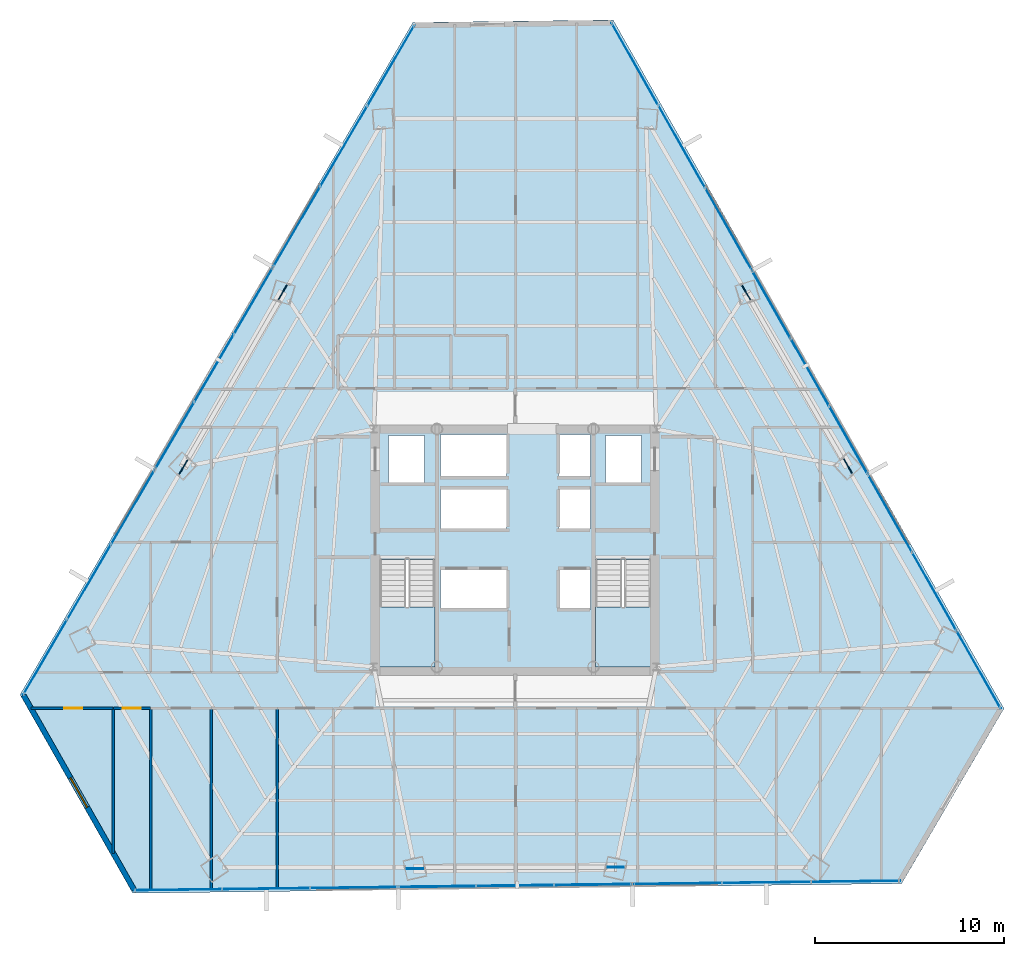
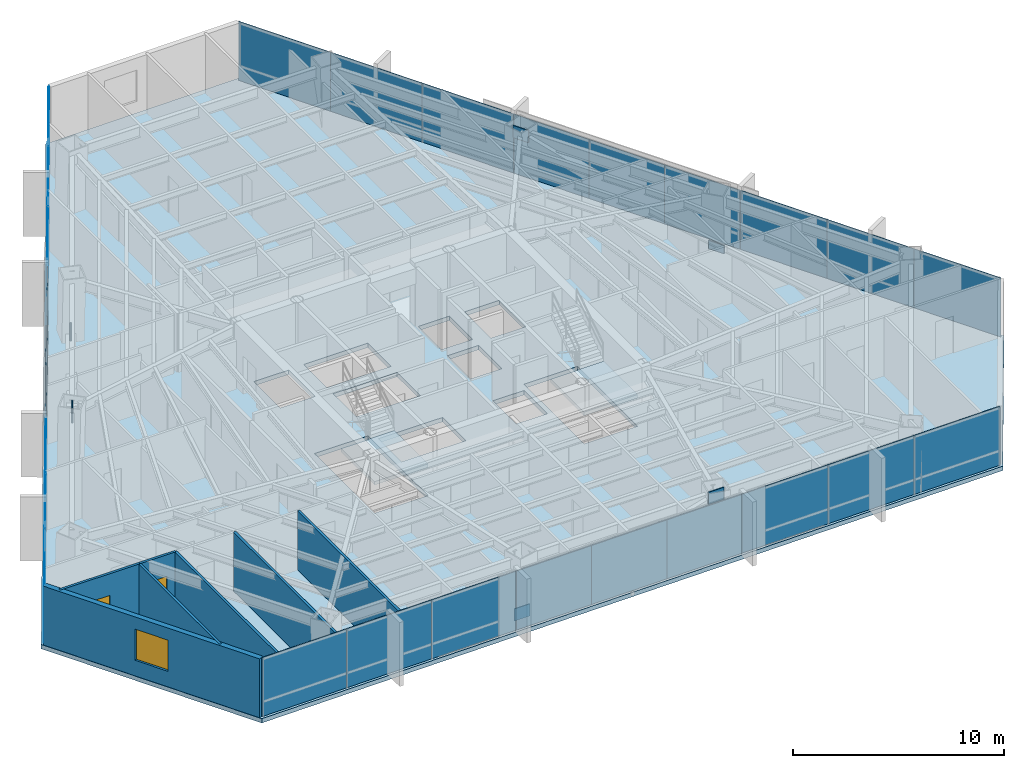
# One storey, part 28 of 35: 33 plates, 7 walls, 3 slabs, 2 doors, 1 window, 3 openings, 11 elements without a shape of their own.
"""IFC4 building model written with IfcOpenShell, lengths in metres."""

from ifc_helpers import new_model, si_unit, direction, frame, frame_2d, origin, origin_2d, place, context, subcontext, project, spatial, polyline, rectangle, outline, extrude, source, transform, mapped, material, layer, layer_set, type_object, type_shapes, element, fill, aggregate, save


model = new_model("IFC4")

# Units and contexts
model_context = context("Model", 3, precision=1e-05, world=origin(), true_north=direction((0.0, 1.0)))
body_context = subcontext(model_context, "Body", "Model", "MODEL_VIEW")
ifc_project = project(units=[si_unit("LENGTHUNIT", "METRE"), si_unit("AREAUNIT", "SQUARE_METRE"), si_unit("VOLUMEUNIT", "CUBIC_METRE"), si_unit("PLANEANGLEUNIT", "RADIAN"), si_unit("MASSUNIT", "GRAM", prefix="KILO")], contexts=[model_context])

# Site, building, storey
site_placement = place(None, origin())
site = spatial("IfcSite", under=ifc_project, at=site_placement, CompositionType="ELEMENT")
building_placement = place(site_placement, origin())
building = spatial("IfcBuilding", under=site, at=building_placement, Name="Caelisora Broadcast Tower", CompositionType="ELEMENT")
storey_placement = place(building_placement, frame((0.0, 0.0, 123.64990234375)))
storey = spatial("IfcBuildingStorey", under=building, at=storey_placement, Name="L32", CompositionType="ELEMENT", Elevation=123.64990234375)

# Slab
ifc_material_1 = material(Name="Concrete 40 MPa (AS 3600 N40)", Category="concrete")
ifc_layer_1 = layer(ifc_material_1, 0.25, Name="Concrete 40 MPa (AS 3600 N40)")
ifc_layer_set_1 = layer_set([ifc_layer_1], Name="Concrete 40 MPa (AS 3600 N40)")
slab_type_1 = type_object("IfcSlabType", Name="SL04", PredefinedType="FLOOR", material=ifc_layer_set_1)
slab_1_placement = place(storey_placement, frame((0.0, 0.0, -0.25)))
element("IfcSlab", 1, at=slab_1_placement, inside=storey, type_object=slab_type_1, Name="L32 suspended floor SL04", PredefinedType="FLOOR", context=body_context, shape_type="SweptSolid", body=[
    extrude(outline(polyline([(43.195068359375, 51.681884765625), (32.575927734375, 51.549072265625), (11.757080078125, 15.9208984375), (17.72998046875, 5.40087890625), (58.487060546875, 5.908935546875), (63.909912109375, 15.19189453125), (43.195068359375, 51.681884765625)]), holes=[polyline([(30.820068359375, 17.39990234375), (33.739990234375, 17.39990234375), (33.739990234375, 23.080078125), (30.820068359375, 23.080078125), (30.820068359375, 17.39990234375)]), polyline([(42.260009765625, 17.39990234375), (45.179931640625, 17.39990234375), (45.179931640625, 23.080078125), (42.260009765625, 23.080078125), (42.260009765625, 17.39990234375)]), polyline([(42.800048828125, 27.14990234375), (44.699951171875, 27.14990234375), (44.699951171875, 29.64990234375), (42.800048828125, 29.64990234375), (42.800048828125, 27.14990234375)]), polyline([(40.300048828125, 20.429931640625), (42.0, 20.429931640625), (42.0, 22.6298828125), (40.300048828125, 22.6298828125), (40.300048828125, 20.429931640625)]), polyline([(40.300048828125, 24.719970703125), (42.0, 24.719970703125), (42.0, 26.919921875), (40.300048828125, 26.919921875), (40.300048828125, 24.719970703125)]), polyline([(40.300048828125, 27.5), (42.0, 27.5), (42.0, 29.699951171875), (40.300048828125, 29.699951171875), (40.300048828125, 27.5)]), polyline([(34.050048828125, 20.429931640625), (37.550048828125, 20.429931640625), (37.550048828125, 22.6298828125), (34.050048828125, 22.6298828125), (34.050048828125, 20.429931640625)]), polyline([(34.050048828125, 24.719970703125), (37.550048828125, 24.719970703125), (37.550048828125, 26.919921875), (34.050048828125, 26.919921875), (34.050048828125, 24.719970703125)]), polyline([(34.050048828125, 27.5), (37.550048828125, 27.5), (37.550048828125, 29.699951171875), (34.050048828125, 29.699951171875), (34.050048828125, 27.5)]), polyline([(31.300048828125, 27.14990234375), (33.199951171875, 27.14990234375), (33.199951171875, 29.64990234375), (31.300048828125, 29.64990234375), (31.300048828125, 27.14990234375)])]), origin(), (0.0, 0.0, 1.0), 0.25),
])

# Stair, slab
stair_type_1 = type_object("IfcStairType", Name="ST-1", PredefinedType="HALF_TURN_STAIR", material=ifc_material_1)
stair_1_placement = place(storey_placement, origin())
stair_1 = element("IfcStair", 2, at=stair_1_placement, inside=storey, type_object=stair_type_1, Name="L32 West Fire-Isolated Tower Stair", PredefinedType="HALF_TURN_STAIR")
ifc_layer_2 = layer(ifc_material_1, 0.199951171875, Name="Concrete 40 MPa (AS 3600 N40)")
ifc_layer_set_2 = layer_set([ifc_layer_2], Name="Concrete 40 MPa (AS 3600 N40)")
slab_type_2 = type_object("IfcSlabType", Name="STL-1", PredefinedType="LANDING", material=ifc_layer_set_2)
slab_2_placement = place(storey_placement, frame((0.0, 0.0, 1.625)))
slab_2 = element("IfcSlab", 3, at=slab_2_placement, type_object=slab_type_2, Name="ST-1 landing 1", PredefinedType="LANDING", context=body_context, shape_type="SweptSolid", body=[
    extrude(outline(polyline([(30.820068359375, 20.580078125), (30.820068359375, 17.39990234375), (33.739990234375, 17.39990234375), (33.739990234375, 20.580078125), (30.820068359375, 20.580078125)])), origin(), (0.0, 0.0, 1.0), 0.2001953125),
])
aggregate(stair_1, [slab_2])

stair_type_2 = type_object("IfcStairType", Name="ST-2", PredefinedType="HALF_TURN_STAIR", material=ifc_material_1)
stair_2_placement = place(storey_placement, origin())
stair_2 = element("IfcStair", 4, at=stair_2_placement, inside=storey, type_object=stair_type_2, Name="L32 East Fire-Isolated Tower Stair", PredefinedType="HALF_TURN_STAIR")
slab_3_placement = place(storey_placement, frame((0.0, 0.0, 1.625)))
slab_3 = element("IfcSlab", 5, at=slab_3_placement, type_object=slab_type_2, Name="ST-2 landing 1", PredefinedType="LANDING", context=body_context, shape_type="SweptSolid", body=[
    extrude(outline(polyline([(42.260009765625, 20.580078125), (42.260009765625, 17.39990234375), (45.179931640625, 17.39990234375), (45.179931640625, 20.580078125), (42.260009765625, 20.580078125)])), origin(), (0.0, 0.0, 1.0), 0.2001953125),
])
aggregate(stair_2, [slab_3])

# Plates
ifc_material_2 = material(Name="Steel Grade 350 L15 (AS/NZS 3678)", Category="steel")
ifc_layer_3 = layer(ifc_material_2, 0.050048828125, Name="Steel Grade 350 L15 (AS/NZS 3678)")
ifc_layer_set_3 = layer_set([ifc_layer_3], Name="Steel Grade 350 L15 (AS/NZS 3678)")
plate_type_1 = type_object("IfcPlateType", Name="GP03", PredefinedType="USERDEFINED", material=ifc_layer_set_3)
shared_shape_1 = source(origin(), body_context, "Body", "SweptSolid", [
    extrude(rectangle(XDim=0.85009765625, YDim=0.050048828125, at=origin_2d()), origin(), (0.0, 0.0, 1.0), 0.699951171875),
])
type_shapes(plate_type_1, [shared_shape_1])
for number, where, z_axis, x_axis, name in (
    (6, (25.67431640625, 37.24609375, -0.22998046875), (0.0, 0.0, 1.0), (-0.5, -0.866025403784, 0.0), "L32 gusset plate GP03 (ND-L32-C02B)"),
    (7, (20.419921875, 28.0009765625, 2.72998046875), (0.0, 0.0, 1.0), (-0.5, -0.866025403784, 0.0), "L32 gusset plate GP03 (ND-L32-C03T)"),
    (8, (32.69140625, 6.702392578125, -0.22998046875), (0.0, 0.0, 1.0), (1.0, 0.0, 0.0), "L32 gusset plate GP03 (ND-L32-C06B)"),
    (9, (43.324951171875, 6.77490234375, 2.72998046875), (0.0, 0.0, 1.0), (1.0, 0.0, 0.0), "L32 gusset plate GP03 (ND-L32-C07T)"),
    (10, (55.634521484375, 28.05126953125, -0.22998046875), (0.0, 0.0, 1.0), (-0.5, 0.866025403784, 0.0), "L32 gusset plate GP03 (ND-L32-C10B)"),
    (11, (50.2548828125, 37.22412109375, 2.72998046875), (0.0, 0.0, 1.0), (-0.5, 0.866025403784, 0.0), "L32 gusset plate GP03 (ND-L32-C11T)"),
):
    element("IfcPlate", number, at=place(storey_placement, frame(where, z_axis=z_axis, x_axis=x_axis)), inside=storey, type_object=plate_type_1, Name=name, ObjectType="GUSSET PLATE", PredefinedType="USERDEFINED", context=body_context, shape_type="MappedRepresentation", body=[
        mapped(shared_shape_1, transform((0.0, 0.0, 0.0), scale=1.0)),
    ])

# Curtain wall, plates
ifc_material_3 = material(Name="Unitised Aluminium and Low-E Glass Curtain Wall", Category="glass")
curtain_wall_type_1 = type_object("IfcCurtainWallType", Name="CW-Z2", PredefinedType="NOTDEFINED", material=ifc_material_3)
curtain_wall_1_placement = place(storey_placement, origin())
curtain_wall_1 = element("IfcCurtainWall", 12, at=curtain_wall_1_placement, inside=storey, type_object=curtain_wall_type_1, Name="L32 curtain wall CW-Z2", PredefinedType="NOTDEFINED")
ifc_material_4 = material(Name="Double Glazed Low-E Argon IGU", Category="glass")
ifc_layer_4 = layer(ifc_material_4, 0.033935546875, Name="Double Glazed Low-E Argon IGU")
ifc_layer_set_4 = layer_set([ifc_layer_4], Name="Double Glazed Low-E Argon IGU")
plate_type_2 = type_object("IfcPlateType", Name="CWP-03", PredefinedType="CURTAIN_PANEL", material=ifc_layer_set_4)
shared_shape_2 = source(origin(), body_context, "Body", "SweptSolid", [
    extrude(rectangle(XDim=5.027099609375, YDim=0.033935546875, at=origin_2d()), origin(), (0.0, 0.0, 1.0), 3.39990234375),
])
plate_1_placement = place(storey_placement, frame((44.348876953125, 49.34521484375, 0.000244140625), z_axis=(0.0, 0.0, 1.0), x_axis=(0.493638325511, -0.869667294767, 0.0)))
plate_1 = element("IfcPlate", 13, at=plate_1_placement, type_object=plate_type_2, Name="L32-CW-B01 glazed panel #1", PredefinedType="CURTAIN_PANEL", context=body_context, shape_type="MappedRepresentation", body=[
    mapped(shared_shape_2, transform((0.0, 0.0, 0.0), scale=1.0)),
])
plate_2_placement = place(storey_placement, frame((46.830810546875, 44.973388671875, 0.000244140625), z_axis=(0.0, 0.0, 1.0), x_axis=(0.493638325511, -0.869667294767, 0.0)))
plate_2 = element("IfcPlate", 14, at=plate_2_placement, type_object=plate_type_2, Name="L32-CW-B01 glazed panel #2", PredefinedType="CURTAIN_PANEL", context=body_context, shape_type="MappedRepresentation", body=[
    mapped(shared_shape_2, transform((0.0, 0.0, 0.0), scale=1.0)),
])
plate_3_placement = place(storey_placement, frame((49.3125, 40.601806640625, 0.000244140625), z_axis=(0.0, 0.0, 1.0), x_axis=(0.493638325511, -0.869667294767, 0.0)))
plate_3 = element("IfcPlate", 15, at=plate_3_placement, type_object=plate_type_2, Name="L32-CW-B01 glazed panel #3", PredefinedType="CURTAIN_PANEL", context=body_context, shape_type="MappedRepresentation", body=[
    mapped(shared_shape_2, transform((0.0, 0.0, 0.0), scale=1.0)),
])
aggregate(curtain_wall_1, [plate_1, plate_2, plate_3])

ifc_material_5 = material(Name="Unitised Aluminium Insulated Shadow-Box Spandrel Curtain Wall", Category="aluminium")
curtain_wall_type_2 = type_object("IfcCurtainWallType", Name="CW-SP1", PredefinedType="NOTDEFINED", material=ifc_material_5)
curtain_wall_2_placement = place(storey_placement, origin())
curtain_wall_2 = element("IfcCurtainWall", 16, at=curtain_wall_2_placement, inside=storey, type_object=curtain_wall_type_2, Name="L32 curtain wall CW-SP1", PredefinedType="NOTDEFINED")
ifc_material_6 = material(Name="Insulated Terracotta Shadow-Box Spandrel Panel", Category="aluminium")
ifc_layer_5 = layer(ifc_material_6, 0.0439453125, Name="Insulated Terracotta Shadow-Box Spandrel Panel")
ifc_layer_set_5 = layer_set([ifc_layer_5], Name="Insulated Terracotta Shadow-Box Spandrel Panel")
plate_type_3 = type_object("IfcPlateType", Name="CWP-10", PredefinedType="CURTAIN_PANEL", material=ifc_layer_set_5)
shared_shape_3 = source(origin(), body_context, "Body", "SweptSolid", [
    extrude(rectangle(XDim=4.1357421875, YDim=0.0439453125, at=origin_2d()), origin(), (0.0, 0.0, 1.0), 3.39990234375),
])
plate_4_placement = place(storey_placement, frame((51.5791015625, 36.609130859375, 0.000244140625), z_axis=(0.0, 0.0, 1.0), x_axis=(0.493638325511, -0.869667294767, 0.0)))
plate_4 = element("IfcPlate", 17, at=plate_4_placement, type_object=plate_type_3, Name="L32-CW-B02 spandrel panel #1", PredefinedType="CURTAIN_PANEL", context=body_context, shape_type="MappedRepresentation", body=[
    mapped(shared_shape_3, transform((0.0, 0.0, 0.0), scale=1.0)),
])
plate_5_placement = place(storey_placement, frame((53.620849609375, 33.012451171875, 0.000244140625), z_axis=(0.0, 0.0, 1.0), x_axis=(0.493638325511, -0.869667294767, 0.0)))
plate_5 = element("IfcPlate", 18, at=plate_5_placement, type_object=plate_type_3, Name="L32-CW-B02 spandrel panel #2", PredefinedType="CURTAIN_PANEL", context=body_context, shape_type="MappedRepresentation", body=[
    mapped(shared_shape_3, transform((0.0, 0.0, 0.0), scale=1.0)),
])
plate_6_placement = place(storey_placement, frame((55.66259765625, 29.416015625, 0.000244140625), z_axis=(0.0, 0.0, 1.0), x_axis=(0.493638325511, -0.869667294767, 0.0)))
plate_6 = element("IfcPlate", 19, at=plate_6_placement, type_object=plate_type_3, Name="L32-CW-B02 spandrel panel #3", PredefinedType="CURTAIN_PANEL", context=body_context, shape_type="MappedRepresentation", body=[
    mapped(shared_shape_3, transform((0.0, 0.0, 0.0), scale=1.0)),
])
aggregate(curtain_wall_2, [plate_4, plate_5, plate_6])

curtain_wall_3_placement = place(storey_placement, origin())
curtain_wall_3 = element("IfcCurtainWall", 20, at=curtain_wall_3_placement, inside=storey, type_object=curtain_wall_type_2, Name="L32 curtain wall CW-SP1", PredefinedType="NOTDEFINED")
plate_7_placement = place(storey_placement, frame((19.95361328125, 29.650390625, 0.000244140625), z_axis=(0.0, 0.0, 1.0), x_axis=(0.504527623815, 0.863395550607, 0.0)))
plate_7 = element("IfcPlate", 21, at=plate_7_placement, type_object=plate_type_3, Name="L32-CW-B10 spandrel panel #1", PredefinedType="CURTAIN_PANEL", context=body_context, shape_type="MappedRepresentation", body=[
    mapped(shared_shape_3, transform((0.0, 0.0, 0.0), scale=1.0)),
])
plate_8_placement = place(storey_placement, frame((22.0400390625, 33.22119140625, 0.000244140625), z_axis=(0.0, 0.0, 1.0), x_axis=(0.504527623815, 0.863395550607, 0.0)))
plate_8 = element("IfcPlate", 22, at=plate_8_placement, type_object=plate_type_3, Name="L32-CW-B10 spandrel panel #2", PredefinedType="CURTAIN_PANEL", context=body_context, shape_type="MappedRepresentation", body=[
    mapped(shared_shape_3, transform((0.0, 0.0, 0.0), scale=1.0)),
])
plate_9_placement = place(storey_placement, frame((24.126708984375, 36.7919921875, 0.000244140625), z_axis=(0.0, 0.0, 1.0), x_axis=(0.504527623815, 0.863395550607, 0.0)))
plate_9 = element("IfcPlate", 23, at=plate_9_placement, type_object=plate_type_3, Name="L32-CW-B10 spandrel panel #3", PredefinedType="CURTAIN_PANEL", context=body_context, shape_type="MappedRepresentation", body=[
    mapped(shared_shape_3, transform((0.0, 0.0, 0.0), scale=1.0)),
])
aggregate(curtain_wall_3, [plate_7, plate_8, plate_9])

curtain_wall_4_placement = place(storey_placement, origin())
curtain_wall_4 = element("IfcCurtainWall", 24, at=curtain_wall_4_placement, inside=storey, type_object=curtain_wall_type_1, Name="L32 curtain wall CW-Z2", PredefinedType="NOTDEFINED")
shared_shape_4 = source(origin(), body_context, "Body", "SweptSolid", [
    extrude(rectangle(XDim=4.759033203125, YDim=0.033935546875, at=origin_2d()), origin(), (0.0, 0.0, 1.0), 3.39990234375),
])
plate_10_placement = place(storey_placement, frame((57.86328125, 25.539794921875, 0.000244140625), z_axis=(0.0, 0.0, 1.0), x_axis=(0.493638325511, -0.869667294767, 0.0)))
plate_10 = element("IfcPlate", 25, at=plate_10_placement, type_object=plate_type_2, Name="L32-CW-B03 glazed panel #1", PredefinedType="CURTAIN_PANEL", context=body_context, shape_type="MappedRepresentation", body=[
    mapped(shared_shape_4, transform((0.0, 0.0, 0.0), scale=1.0)),
])
plate_11_placement = place(storey_placement, frame((60.212646484375, 21.40087890625, 0.000244140625), z_axis=(0.0, 0.0, 1.0), x_axis=(0.493638325511, -0.869667294767, 0.0)))
plate_11 = element("IfcPlate", 26, at=plate_11_placement, type_object=plate_type_2, Name="L32-CW-B03 glazed panel #2", PredefinedType="CURTAIN_PANEL", context=body_context, shape_type="MappedRepresentation", body=[
    mapped(shared_shape_4, transform((0.0, 0.0, 0.0), scale=1.0)),
])
plate_12_placement = place(storey_placement, frame((62.562255859375, 17.26220703125, 0.000244140625), z_axis=(0.0, 0.0, 1.0), x_axis=(0.493638325511, -0.869667294767, 0.0)))
plate_12 = element("IfcPlate", 27, at=plate_12_placement, type_object=plate_type_2, Name="L32-CW-B03 glazed panel #3", PredefinedType="CURTAIN_PANEL", context=body_context, shape_type="MappedRepresentation", body=[
    mapped(shared_shape_4, transform((0.0, 0.0, 0.0), scale=1.0)),
])
aggregate(curtain_wall_4, [plate_10, plate_11, plate_12])

curtain_wall_5_placement = place(storey_placement, origin())
curtain_wall_5 = element("IfcCurtainWall", 28, at=curtain_wall_5_placement, inside=storey, type_object=curtain_wall_type_1, Name="L32 curtain wall CW-Z2", PredefinedType="NOTDEFINED")
shared_shape_5 = source(origin(), body_context, "Body", "SweptSolid", [
    extrude(rectangle(XDim=4.7255859375, YDim=0.033935546875, at=origin_2d()), origin(), (0.0, 0.0, 1.0), 3.39990234375),
])
plate_13_placement = place(storey_placement, frame((56.037353515625, 6.028564453125, 0.000244140625), z_axis=(0.0, 0.0, 1.0), x_axis=(-0.999923222162, -0.012391520548, 0.0)))
plate_13 = element("IfcPlate", 29, at=plate_13_placement, type_object=plate_type_2, Name="L32-CW-B05 glazed panel #1", PredefinedType="CURTAIN_PANEL", context=body_context, shape_type="MappedRepresentation", body=[
    mapped(shared_shape_5, transform((0.0, 0.0, 0.0), scale=1.0)),
])
plate_14_placement = place(storey_placement, frame((51.31201171875, 5.969482421875, 0.000244140625), z_axis=(0.0, 0.0, 1.0), x_axis=(-0.999923222162, -0.012391520548, 0.0)))
plate_14 = element("IfcPlate", 30, at=plate_14_placement, type_object=plate_type_2, Name="L32-CW-B05 glazed panel #2", PredefinedType="CURTAIN_PANEL", context=body_context, shape_type="MappedRepresentation", body=[
    mapped(shared_shape_5, transform((0.0, 0.0, 0.0), scale=1.0)),
])
plate_15_placement = place(storey_placement, frame((46.586669921875, 5.91064453125, 0.000244140625), z_axis=(0.0, 0.0, 1.0), x_axis=(-0.999923222162, -0.012391520548, 0.0)))
plate_15 = element("IfcPlate", 31, at=plate_15_placement, type_object=plate_type_2, Name="L32-CW-B05 glazed panel #3", PredefinedType="CURTAIN_PANEL", context=body_context, shape_type="MappedRepresentation", body=[
    mapped(shared_shape_5, transform((0.0, 0.0, 0.0), scale=1.0)),
])
aggregate(curtain_wall_5, [plate_13, plate_14, plate_15])

curtain_wall_6_placement = place(storey_placement, origin())
curtain_wall_6 = element("IfcCurtainWall", 32, at=curtain_wall_6_placement, inside=storey, type_object=curtain_wall_type_2, Name="L32 curtain wall CW-SP1", PredefinedType="NOTDEFINED")
shared_shape_6 = source(origin(), body_context, "Body", "SweptSolid", [
    extrude(rectangle(XDim=4.135498046875, YDim=0.0439453125, at=origin_2d()), origin(), (0.0, 0.0, 1.0), 3.39990234375),
])
type_shapes(plate_type_3, [shared_shape_3, shared_shape_6])
plate_16_placement = place(storey_placement, frame((42.146484375, 5.855224609375, 0.000244140625), z_axis=(0.0, 0.0, 1.0), x_axis=(-0.999923222162, -0.012391520548, 0.0)))
plate_16 = element("IfcPlate", 33, at=plate_16_placement, type_object=plate_type_3, Name="L32-CW-B06 spandrel panel #1", PredefinedType="CURTAIN_PANEL", context=body_context, shape_type="MappedRepresentation", body=[
    mapped(shared_shape_6, transform((0.0, 0.0, 0.0), scale=1.0)),
])
plate_17_placement = place(storey_placement, frame((38.01123046875, 5.8037109375, 0.000244140625), z_axis=(0.0, 0.0, 1.0), x_axis=(-0.999923222162, -0.012391520548, 0.0)))
plate_17 = element("IfcPlate", 34, at=plate_17_placement, type_object=plate_type_3, Name="L32-CW-B06 spandrel panel #2", PredefinedType="CURTAIN_PANEL", context=body_context, shape_type="MappedRepresentation", body=[
    mapped(shared_shape_6, transform((0.0, 0.0, 0.0), scale=1.0)),
])
plate_18_placement = place(storey_placement, frame((33.8759765625, 5.752197265625, 0.000244140625), z_axis=(0.0, 0.0, 1.0), x_axis=(-0.999923222162, -0.012391520548, 0.0)))
plate_18 = element("IfcPlate", 35, at=plate_18_placement, type_object=plate_type_3, Name="L32-CW-B06 spandrel panel #3", PredefinedType="CURTAIN_PANEL", context=body_context, shape_type="MappedRepresentation", body=[
    mapped(shared_shape_6, transform((0.0, 0.0, 0.0), scale=1.0)),
])
aggregate(curtain_wall_6, [plate_16, plate_17, plate_18])

curtain_wall_7_placement = place(storey_placement, origin())
curtain_wall_7 = element("IfcCurtainWall", 36, at=curtain_wall_7_placement, inside=storey, type_object=curtain_wall_type_1, Name="L32 curtain wall CW-Z2", PredefinedType="NOTDEFINED")
shared_shape_7 = source(origin(), body_context, "Body", "SweptSolid", [
    extrude(rectangle(XDim=4.660888671875, YDim=0.033935546875, at=origin_2d()), origin(), (0.0, 0.0, 1.0), 3.39990234375),
])
plate_19_placement = place(storey_placement, frame((29.46826171875, 5.697265625, 0.000244140625), z_axis=(0.0, 0.0, 1.0), x_axis=(-0.999923222162, -0.012391520548, 0.0)))
plate_19 = element("IfcPlate", 37, at=plate_19_placement, type_object=plate_type_2, Name="L32-CW-B07 glazed panel #1", PredefinedType="CURTAIN_PANEL", context=body_context, shape_type="MappedRepresentation", body=[
    mapped(shared_shape_7, transform((0.0, 0.0, 0.0), scale=1.0)),
])
plate_20_placement = place(storey_placement, frame((24.8076171875, 5.63916015625, 0.000244140625), z_axis=(0.0, 0.0, 1.0), x_axis=(-0.999923222162, -0.012391520548, 0.0)))
plate_20 = element("IfcPlate", 38, at=plate_20_placement, type_object=plate_type_2, Name="L32-CW-B07 glazed panel #2", PredefinedType="CURTAIN_PANEL", context=body_context, shape_type="MappedRepresentation", body=[
    mapped(shared_shape_7, transform((0.0, 0.0, 0.0), scale=1.0)),
])
plate_21_placement = place(storey_placement, frame((20.147216796875, 5.5810546875, 0.000244140625), z_axis=(0.0, 0.0, 1.0), x_axis=(-0.999923222162, -0.012391520548, 0.0)))
plate_21 = element("IfcPlate", 39, at=plate_21_placement, type_object=plate_type_2, Name="L32-CW-B07 glazed panel #3", PredefinedType="CURTAIN_PANEL", context=body_context, shape_type="MappedRepresentation", body=[
    mapped(shared_shape_7, transform((0.0, 0.0, 0.0), scale=1.0)),
])
aggregate(curtain_wall_7, [plate_19, plate_20, plate_21])

curtain_wall_8_placement = place(storey_placement, origin())
curtain_wall_8 = element("IfcCurtainWall", 40, at=curtain_wall_8_placement, inside=storey, type_object=curtain_wall_type_1, Name="L32 curtain wall CW-Z2", PredefinedType="NOTDEFINED")
shared_shape_8 = source(origin(), body_context, "Body", "SweptSolid", [
    extrude(rectangle(XDim=4.6083984375, YDim=0.033935546875, at=origin_2d()), origin(), (0.0, 0.0, 1.0), 3.39990234375),
])
plate_22_placement = place(storey_placement, frame((13.092529296875, 17.909423828125, 0.000244140625), z_axis=(0.0, 0.0, 1.0), x_axis=(0.504527623815, 0.863395550607, 0.0)))
plate_22 = element("IfcPlate", 41, at=plate_22_placement, type_object=plate_type_2, Name="L32-CW-B09 glazed panel #1", PredefinedType="CURTAIN_PANEL", context=body_context, shape_type="MappedRepresentation", body=[
    mapped(shared_shape_8, transform((0.0, 0.0, 0.0), scale=1.0)),
])
plate_23_placement = place(storey_placement, frame((15.41748046875, 21.88818359375, 0.000244140625), z_axis=(0.0, 0.0, 1.0), x_axis=(0.504527623815, 0.863395550607, 0.0)))
plate_23 = element("IfcPlate", 42, at=plate_23_placement, type_object=plate_type_2, Name="L32-CW-B09 glazed panel #2", PredefinedType="CURTAIN_PANEL", context=body_context, shape_type="MappedRepresentation", body=[
    mapped(shared_shape_8, transform((0.0, 0.0, 0.0), scale=1.0)),
])
plate_24_placement = place(storey_placement, frame((17.74267578125, 25.8671875, 0.000244140625), z_axis=(0.0, 0.0, 1.0), x_axis=(0.504527623815, 0.863395550607, 0.0)))
plate_24 = element("IfcPlate", 43, at=plate_24_placement, type_object=plate_type_2, Name="L32-CW-B09 glazed panel #3", PredefinedType="CURTAIN_PANEL", context=body_context, shape_type="MappedRepresentation", body=[
    mapped(shared_shape_8, transform((0.0, 0.0, 0.0), scale=1.0)),
])
aggregate(curtain_wall_8, [plate_22, plate_23, plate_24])

curtain_wall_9_placement = place(storey_placement, origin())
curtain_wall_9 = element("IfcCurtainWall", 44, at=curtain_wall_9_placement, inside=storey, type_object=curtain_wall_type_1, Name="L32 curtain wall CW-Z2", PredefinedType="NOTDEFINED")
shared_shape_9 = source(origin(), body_context, "Body", "SweptSolid", [
    extrude(rectangle(XDim=4.947021484375, YDim=0.033935546875, at=origin_2d()), origin(), (0.0, 0.0, 1.0), 3.39990234375),
])
type_shapes(plate_type_2, [shared_shape_2, shared_shape_4, shared_shape_5, shared_shape_7, shared_shape_8, shared_shape_9])
plate_25_placement = place(storey_placement, frame((26.423095703125, 40.7216796875, 0.000244140625), z_axis=(0.0, 0.0, 1.0), x_axis=(0.504527623815, 0.863395550607, 0.0)))
plate_25 = element("IfcPlate", 45, at=plate_25_placement, type_object=plate_type_2, Name="L32-CW-B11 glazed panel #1", PredefinedType="CURTAIN_PANEL", context=body_context, shape_type="MappedRepresentation", body=[
    mapped(shared_shape_9, transform((0.0, 0.0, 0.0), scale=1.0)),
])
plate_26_placement = place(storey_placement, frame((28.919189453125, 44.992919921875, 0.000244140625), z_axis=(0.0, 0.0, 1.0), x_axis=(0.504527623815, 0.863395550607, 0.0)))
plate_26 = element("IfcPlate", 46, at=plate_26_placement, type_object=plate_type_2, Name="L32-CW-B11 glazed panel #2", PredefinedType="CURTAIN_PANEL", context=body_context, shape_type="MappedRepresentation", body=[
    mapped(shared_shape_9, transform((0.0, 0.0, 0.0), scale=1.0)),
])
plate_27_placement = place(storey_placement, frame((31.4150390625, 49.264404296875, 0.000244140625), z_axis=(0.0, 0.0, 1.0), x_axis=(0.504527623815, 0.863395550607, 0.0)))
plate_27 = element("IfcPlate", 47, at=plate_27_placement, type_object=plate_type_2, Name="L32-CW-B11 glazed panel #3", PredefinedType="CURTAIN_PANEL", context=body_context, shape_type="MappedRepresentation", body=[
    mapped(shared_shape_9, transform((0.0, 0.0, 0.0), scale=1.0)),
])
aggregate(curtain_wall_9, [plate_25, plate_26, plate_27])

# Wall, opening, window
ifc_material_7 = material(Name="Insulated Terracotta Spandrel Wall System", Category="masonry")
ifc_layer_6 = layer(ifc_material_7, 0.280029296875, Name="Insulated Terracotta Spandrel Wall System")
ifc_layer_set_6 = layer_set([ifc_layer_6], Name="Insulated Terracotta Spandrel Wall System")
wall_type_1 = type_object("IfcWallType", Name="EW1", PredefinedType="STANDARD", material=ifc_layer_set_6)
wall_1_placement = place(storey_placement, frame((17.80224609375, 5.578125, 0.0), z_axis=(0.0, 0.0, 1.0), x_axis=(-0.493770007696, 0.869592536479, 0.0)))
wall_1 = element("IfcWall", 48, at=wall_1_placement, inside=storey, type_object=wall_type_1, Name="L32 exterior envelope wall EW1", PredefinedType="STANDARD", context=body_context, shape_type="SweptSolid", body=[
    extrude(rectangle(XDim=11.862548828125, YDim=0.280029296875, at=frame_2d((5.93115234375, 0.0))), origin(), (0.0, 0.0, 1.0), 3.400146484375),
])
opening_1_placement = place(wall_1_placement, frame((5.030029296875, 0.0, 0.89990234375)))
opening_1 = element("IfcOpeningElement", 49, at=opening_1_placement, cuts=wall_1, Name="Opening W01", PredefinedType="OPENING", context=body_context, shape_type="SweptSolid", body=[
    extrude(rectangle(XDim=1.800048828125, YDim=1.800048828125, at=frame_2d((0.89990234375, 0.89990234375))), frame((0.0, 0.152099609375, 0.0), z_axis=(0.0, -1.0, 0.0), x_axis=(1.0, 0.0, 0.0)), (0.0, 0.0, 1.0), 0.303955078125),
])
ifc_material_8 = material(Name="Double Glazed Terracotta-Framed Vision Window", Category="glass")
window_type = type_object("IfcWindowType", Name="W01", PartitioningType="SINGLE_PANEL", PredefinedType="WINDOW", material=ifc_material_8)
window_placement = place(opening_1_placement, origin())
window = element("IfcWindow", 50, at=window_placement, inside=storey, type_object=window_type, Name="L32 window W01 (L32-WN-CH4)", OverallHeight=1.800048828125, OverallWidth=1.800048828125, PartitioningType="SINGLE_PANEL", PredefinedType="WINDOW", context=body_context, shape_type="SweptSolid", body=[
    extrude(rectangle(XDim=1.800048828125, YDim=1.800048828125, at=frame_2d((0.89990234375, 0.89990234375))), frame((0.0, 0.030029296875, 0.0), z_axis=(0.0, -1.0, 0.0), x_axis=(1.0, 0.0, 0.0)), (0.0, 0.0, 1.0), 0.06005859375),
])
fill(opening_1, window)

# Walls
ifc_material_9 = material(Name="Acoustic Steel-Stud Plasterboard Partition", Category="gypsum")
ifc_layer_7 = layer(ifc_material_9, 0.1298828125, Name="Acoustic Steel-Stud Plasterboard Partition")
ifc_layer_set_7 = layer_set([ifc_layer_7], Name="Acoustic Steel-Stud Plasterboard Partition")
wall_type_2 = type_object("IfcWallType", Name="PW3", PredefinedType="PARTITIONING", material=ifc_layer_set_7)
wall_2_placement = place(storey_placement, frame((18.679931640625, 5.557861328125, 0.0), z_axis=(0.0, 0.0, 1.0), x_axis=(0.0, 1.0, 0.0)))
element("IfcWall", 51, at=wall_2_placement, inside=storey, type_object=wall_type_2, Name="L32 internal partition PW3", PredefinedType="PARTITIONING", context=body_context, shape_type="SweptSolid", body=[
    extrude(rectangle(XDim=9.63720703125, YDim=0.1298828125, at=frame_2d((4.818603515625, 0.0))), origin(), (0.0, 0.0, 1.0), 3.400146484375),
])
wall_3_placement = place(storey_placement, frame((21.89990234375, 5.597900390625, 0.0), z_axis=(0.0, 0.0, 1.0), x_axis=(0.0, 1.0, 0.0)))
element("IfcWall", 52, at=wall_3_placement, inside=storey, type_object=wall_type_2, Name="L32 internal partition PW3", PredefinedType="PARTITIONING", context=body_context, shape_type="SweptSolid", body=[
    extrude(rectangle(XDim=9.59716796875, YDim=0.1298828125, at=frame_2d((4.798583984375, 0.0))), origin(), (0.0, 0.0, 1.0), 3.400146484375),
])
wall_4_placement = place(storey_placement, frame((25.39990234375, 5.6416015625, 0.0), z_axis=(0.0, 0.0, 1.0), x_axis=(0.0, 1.0, 0.0)))
element("IfcWall", 53, at=wall_4_placement, inside=storey, type_object=wall_type_2, Name="L32 internal partition PW3", PredefinedType="PARTITIONING", context=body_context, shape_type="SweptSolid", body=[
    extrude(rectangle(XDim=9.553466796875, YDim=0.1298828125, at=frame_2d((4.77685546875, 0.0))), origin(), (0.0, 0.0, 1.0), 3.400146484375),
])
wall_5_placement = place(storey_placement, frame((16.699951171875, 7.5087890625, 0.0), z_axis=(0.0, 0.0, 1.0), x_axis=(0.0, 1.0, 0.0)))
element("IfcWall", 54, at=wall_5_placement, inside=storey, type_object=wall_type_2, Name="L32 internal partition PW3", PredefinedType="PARTITIONING", context=body_context, shape_type="SweptSolid", body=[
    extrude(rectangle(XDim=7.686279296875, YDim=0.1298828125, at=frame_2d((3.84326171875, 0.0))), origin(), (0.0, 0.0, 1.0), 3.400146484375),
])

# Wall, opening, door
wall_6_placement = place(storey_placement, frame((12.3330078125, 15.199951171875, 0.0), z_axis=(0.0, 0.0, 1.0), x_axis=(1.0, 0.0, 0.0)))
wall_6 = element("IfcWall", 55, at=wall_6_placement, inside=storey, type_object=wall_type_2, Name="L32 internal partition PW3", PredefinedType="PARTITIONING", context=body_context, shape_type="SweptSolid", body=[
    extrude(rectangle(XDim=4.362060546875, YDim=0.1298828125, at=frame_2d((2.18115234375, 0.0))), origin(), (0.0, 0.0, 1.0), 3.400146484375),
])
opening_2_placement = place(wall_6_placement, frame((1.757080078125, 0.0, 0.0)))
opening_2 = element("IfcOpeningElement", 56, at=opening_2_placement, cuts=wall_6, Name="Opening D01", PredefinedType="OPENING", context=body_context, shape_type="SweptSolid", body=[
    extrude(rectangle(XDim=0.9599609375, YDim=2.14990234375, at=frame_2d((0.47998046875, 1.074951171875))), frame((0.0, 0.076904296875, 0.0), z_axis=(0.0, -1.0, 0.0), x_axis=(1.0, 0.0, 0.0)), (0.0, 0.0, 1.0), 0.15380859375),
])
ifc_material_10 = material(Name="Solid-Core Timber Acoustic Office Door", Category="wood")
door_type = type_object("IfcDoorType", Name="D01", OperationType="NOTDEFINED", PredefinedType="DOOR", material=ifc_material_10)
door_1_placement = place(opening_2_placement, origin())
door_1 = element("IfcDoor", 57, at=door_1_placement, inside=storey, type_object=door_type, Name="L32 door D01 (L32-DR-P60D1)", OperationType="SINGLE_SWING_LEFT", OverallHeight=2.14990234375, OverallWidth=0.9599609375, PredefinedType="DOOR", context=body_context, shape_type="SweptSolid", body=[
    extrude(rectangle(XDim=0.9599609375, YDim=2.14990234375, at=frame_2d((0.47998046875, 1.074951171875))), frame((0.0, 0.02490234375, 0.0), z_axis=(0.0, -1.0, 0.0), x_axis=(1.0, 0.0, 0.0)), (0.0, 0.0, 1.0), 0.050048828125),
])
fill(opening_2, door_1)

wall_7_placement = place(storey_placement, frame((16.705078125, 15.199951171875, 0.0), z_axis=(0.0, 0.0, 1.0), x_axis=(1.0, 0.0, 0.0)))
wall_7 = element("IfcWall", 58, at=wall_7_placement, inside=storey, type_object=wall_type_2, Name="L32 internal partition PW3", PredefinedType="PARTITIONING", context=body_context, shape_type="SweptSolid", body=[
    extrude(rectangle(XDim=1.969970703125, YDim=0.1298828125, at=frame_2d((0.98486328125, 0.0))), origin(), (0.0, 0.0, 1.0), 3.400146484375),
])
opening_3_placement = place(wall_7_placement, frame((0.5048828125, 0.0, 0.0)))
opening_3 = element("IfcOpeningElement", 59, at=opening_3_placement, cuts=wall_7, Name="Opening D01", PredefinedType="OPENING", context=body_context, shape_type="SweptSolid", body=[
    extrude(rectangle(XDim=0.9599609375, YDim=2.14990234375, at=frame_2d((0.47998046875, 1.074951171875))), frame((0.0, 0.076904296875, 0.0), z_axis=(0.0, -1.0, 0.0), x_axis=(1.0, 0.0, 0.0)), (0.0, 0.0, 1.0), 0.15380859375),
])
door_2_placement = place(opening_3_placement, origin())
door_2 = element("IfcDoor", 60, at=door_2_placement, inside=storey, type_object=door_type, Name="L32 door D01 (L32-DR-P90D1)", OperationType="SINGLE_SWING_RIGHT", OverallHeight=2.14990234375, OverallWidth=0.9599609375, PredefinedType="DOOR", context=body_context, shape_type="SweptSolid", body=[
    extrude(rectangle(XDim=0.9599609375, YDim=2.14990234375, at=frame_2d((0.47998046875, 1.074951171875))), frame((0.0, 0.02490234375, 0.0), z_axis=(0.0, -1.0, 0.0), x_axis=(1.0, 0.0, 0.0)), (0.0, 0.0, 1.0), 0.050048828125),
])
fill(opening_3, door_2)

save(model, "model.ifc")
